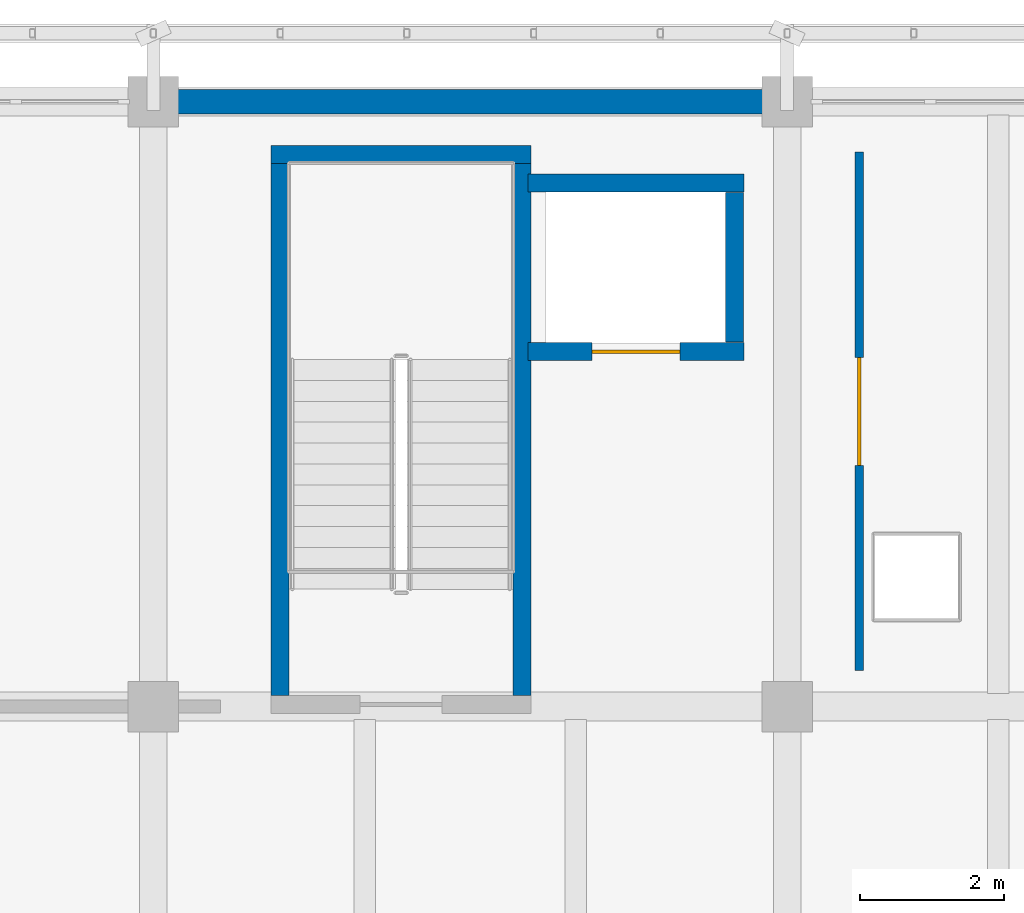
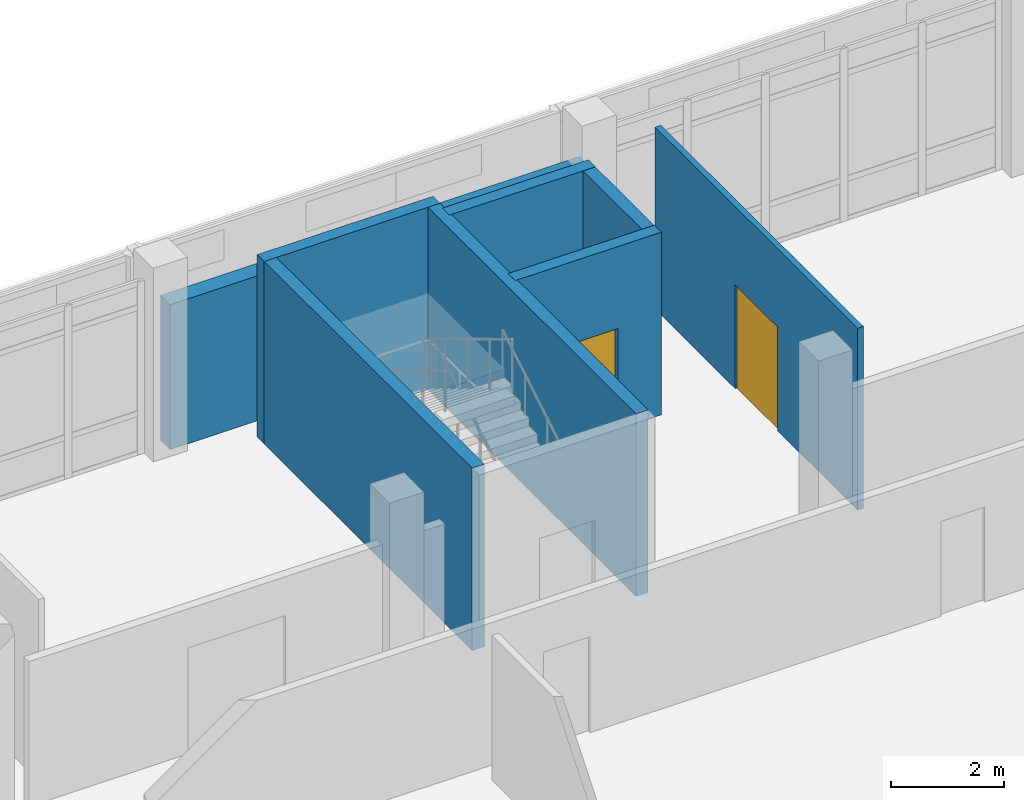
# One storey, part 111 of 137: 8 walls, 2 doors, 2 openings.
"""IFC4 building model written with IfcOpenShell, lengths in metres."""

from ifc_helpers import new_model, si_unit, direction, frame, frame_2d, origin, place, context, subcontext, project, spatial, rectangle, extrude, material, layer, layer_set, type_object, element, fill, save


model = new_model("IFC4")

# Units and contexts
model_context = context("Model", 3, precision=1e-05, world=origin(), true_north=direction((0.0, 1.0)))
body_context = subcontext(model_context, "Body", "Model", "MODEL_VIEW")
ifc_project = project(units=[si_unit("LENGTHUNIT", "METRE"), si_unit("AREAUNIT", "SQUARE_METRE"), si_unit("VOLUMEUNIT", "CUBIC_METRE"), si_unit("PLANEANGLEUNIT", "RADIAN"), si_unit("MASSUNIT", "GRAM", prefix="KILO")], contexts=[model_context])

# Site, building, storey
site_placement = place(None, origin())
site = spatial("IfcSite", under=ifc_project, at=site_placement, CompositionType="ELEMENT")
building_placement = place(site_placement, origin())
building = spatial("IfcBuilding", under=site, at=building_placement, Name="Cinderway Yard Community Centre", CompositionType="ELEMENT")
storey_placement = place(building_placement, frame((0.0, 0.0, 4.800048828125)))
storey = spatial("IfcBuildingStorey", under=building, at=storey_placement, Name="L01", CompositionType="ELEMENT", Elevation=4.800048828125)

# Wall
ifc_material_1 = material(Name="Brick Masonry", Category="masonry")
ifc_layer_1 = layer(ifc_material_1, 0.340087890625, Name="Brick Masonry")
ifc_layer_set_1 = layer_set([ifc_layer_1], Name="Brick Masonry")
wall_type_1 = type_object("IfcWallType", Name="ENV-WAL-EXT340", PredefinedType="SOLIDWALL", material=ifc_layer_set_1)
wall_1_placement = place(storey_placement, frame((75.300048828125, 115.199951171875, 0.0), z_axis=(0.0, 0.0, 1.0), x_axis=(1.0, 0.0, 0.0)))
element("IfcWall", 1, at=wall_1_placement, inside=storey, type_object=wall_type_1, Name="V4 Street Brick Facade Wall ENV-WAL-L01-0148", PredefinedType="SOLIDWALL", context=body_context, shape_type="SweptSolid", body=[
    extrude(rectangle(XDim=8.599853515625, YDim=0.340087890625, at=frame_2d((4.2998046875, 0.0))), origin(), (0.0, 0.0, 1.0), 3.14501953125),
])

# Wall, opening, door
ifc_material_2 = material(Name="Gypsum Board Partition", Category="gypsum")
ifc_layer_2 = layer(ifc_material_2, 0.1201171875, Name="Gypsum Board Partition")
ifc_layer_set_2 = layer_set([ifc_layer_2], Name="Gypsum Board Partition")
wall_type_2 = type_object("IfcWallType", Name="INT-WAL-PRT120", PredefinedType="PARTITIONING", material=ifc_layer_set_2)
wall_2_placement = place(storey_placement, frame((85.0, 107.300048828125, 0.0), z_axis=(0.0, 0.0, 1.0), x_axis=(0.0, 1.0, 0.0)))
wall_2 = element("IfcWall", 2, at=wall_2_placement, inside=storey, type_object=wall_type_2, Name="V4 L01 North Room Partition INT-PRT-L01-0303", PredefinedType="PARTITIONING", context=body_context, shape_type="SweptSolid", body=[
    extrude(rectangle(XDim=7.199951171875, YDim=0.1201171875, at=frame_2d((3.60009765625, 0.0))), origin(), (0.0, 0.0, 1.0), 3.945068359375),
])
opening_1_placement = place(wall_2_placement, frame((2.85009765625, 0.0, 0.0)))
opening_1 = element("IfcOpeningElement", 3, at=opening_1_placement, cuts=wall_2, Name="Opening D-13", PredefinedType="OPENING", context=body_context, shape_type="SweptSolid", body=[
    extrude(rectangle(XDim=1.5, YDim=2.25, at=frame_2d((0.75, 1.125))), frame((0.0, 0.070068359375, 0.0), z_axis=(0.0, -1.0, 0.0), x_axis=(1.0, 0.0, 0.0)), (0.0, 0.0, 1.0), 0.14013671875),
])
ifc_material_3 = material(Name="Painted Galvanised Steel", Category="steel")
door_type_1 = type_object("IfcDoorType", Name="INT-DOR-PLT150", OperationType="DOUBLE_DOOR_SINGLE_SWING", PredefinedType="DOOR", material=ifc_material_3)
door_1_placement = place(opening_1_placement, origin())
door_1 = element("IfcDoor", 4, at=door_1_placement, inside=storey, type_object=door_type_1, Name="Room door INT-DOR-L01-0193", OperationType="DOUBLE_DOOR_SINGLE_SWING", OverallHeight=2.25, OverallWidth=1.5, PredefinedType="DOOR", context=body_context, shape_type="SweptSolid", body=[
    extrude(rectangle(XDim=1.5, YDim=2.25, at=frame_2d((0.75, 1.125))), frame((0.0, 0.02490234375, 0.0), z_axis=(0.0, -1.0, 0.0), x_axis=(1.0, 0.0, 0.0)), (0.0, 0.0, 1.0), 0.050048828125),
])
fill(opening_1, door_1)

# Walls
ifc_material_4 = material(Name="Concrete C40/50", Category="concrete")
ifc_layer_3 = layer(ifc_material_4, 0.25, Name="Concrete C40/50")
ifc_layer_set_3 = layer_set([ifc_layer_3], Name="Concrete C40/50")
wall_type_3 = type_object("IfcWallType", Name="INT-WAL-SHR250", PredefinedType="SHEAR", material=ifc_layer_set_3)
wall_3_placement = place(storey_placement, frame((76.8349609375, 114.469970703125, 0.0), z_axis=(0.0, 0.0, 1.0), x_axis=(1.0, 0.0, 0.0)))
element("IfcWall", 5, at=wall_3_placement, inside=storey, type_object=wall_type_3, Name="Stair ST-02 Back Wall INT-WAL-L01-0048", PredefinedType="SHEAR", context=body_context, shape_type="SweptSolid", body=[
    extrude(rectangle(XDim=3.610107421875, YDim=0.25, at=frame_2d((1.80517578125, 0.0))), origin(), (0.0, 0.0, 1.0), 3.9599609375),
])
for number, where, z_axis, x_axis, name in (
    (6, (76.9599609375, 106.955078125, 0.0), (0.0, 0.0, 1.0), (0.0, 1.0, 0.0), "Stair ST-02 Side Wall L INT-WAL-L01-0049"),
    (7, (80.320068359375, 114.344970703125, 0.0), (0.0, 0.0, 1.0), (0.0, -1.0, 0.0), "Stair ST-02 Side Wall R INT-WAL-L01-0050"),
):
    element("IfcWall", number, at=place(storey_placement, frame(where, z_axis=z_axis, x_axis=x_axis)), inside=storey, type_object=wall_type_3, Name=name, PredefinedType="SHEAR", context=body_context, shape_type="SweptSolid", body=[
        extrude(rectangle(XDim=7.389892578125, YDim=0.25, at=frame_2d((3.69482421875, 0.0))), origin(), (0.0, 0.0, 1.0), 3.9599609375),
    ])

# Wall, opening, door
wall_4_placement = place(storey_placement, frame((80.39990234375, 111.72998046875, 0.0), z_axis=(0.0, 0.0, 1.0), x_axis=(1.0, 0.0, 0.0)))
wall_4 = element("IfcWall", 8, at=wall_4_placement, inside=storey, type_object=wall_type_3, Name="Lift LF-02 South Wall INT-WAL-L01-0070", PredefinedType="SHEAR", context=body_context, shape_type="SweptSolid", body=[
    extrude(rectangle(XDim=3.0, YDim=0.25, at=frame_2d((1.5, 0.0))), origin(), (0.0, 0.0, 1.0), 3.9599609375),
])
opening_2_placement = place(wall_4_placement, frame((0.889892578125, 0.0, 0.0)))
opening_2 = element("IfcOpeningElement", 9, at=opening_2_placement, cuts=wall_4, Name="Opening LD-02", PredefinedType="OPENING", context=body_context, shape_type="SweptSolid", body=[
    extrude(rectangle(XDim=1.219970703125, YDim=2.179931640625, at=frame_2d((0.60986328125, 1.08984375))), frame((0.0, 0.135009765625, 0.0), z_axis=(0.0, -1.0, 0.0), x_axis=(1.0, 0.0, 0.0)), (0.0, 0.0, 1.0), 0.27001953125),
])
door_type_2 = type_object("IfcDoorType", Name="INT-DOR-LD02", OperationType="SLIDING_TO_RIGHT", PredefinedType="DOOR", material=ifc_material_3)
door_2_placement = place(opening_2_placement, origin())
door_2 = element("IfcDoor", 10, at=door_2_placement, inside=storey, type_object=door_type_2, Name="Lift landing door INT-DOR-L01-0020", OperationType="SLIDING_TO_RIGHT", OverallHeight=2.179931640625, OverallWidth=1.219970703125, PredefinedType="DOOR", context=body_context, shape_type="SweptSolid", body=[
    extrude(rectangle(XDim=1.219970703125, YDim=2.179931640625, at=frame_2d((0.60986328125, 1.08984375))), frame((0.0, 0.02490234375, 0.0), z_axis=(0.0, -1.0, 0.0), x_axis=(1.0, 0.0, 0.0)), (0.0, 0.0, 1.0), 0.050048828125),
])
fill(opening_2, door_2)

# Walls
wall_5_placement = place(storey_placement, frame((83.39990234375, 114.070068359375, 0.0), z_axis=(0.0, 0.0, 1.0), x_axis=(-1.0, 0.0, 0.0)))
element("IfcWall", 11, at=wall_5_placement, inside=storey, type_object=wall_type_3, Name="Lift LF-02 North Wall INT-WAL-L01-0071", PredefinedType="SHEAR", context=body_context, shape_type="SweptSolid", body=[
    extrude(rectangle(XDim=3.0, YDim=0.25, at=frame_2d((1.5, 0.0))), origin(), (0.0, 0.0, 1.0), 3.9599609375),
])
wall_6_placement = place(storey_placement, frame((83.27001953125, 111.860107421875, 0.0), z_axis=(0.0, 0.0, 1.0), x_axis=(0.0, 1.0, 0.0)))
element("IfcWall", 12, at=wall_6_placement, inside=storey, type_object=wall_type_3, Name="Lift LF-02 East Wall INT-WAL-L01-0072", PredefinedType="SHEAR", context=body_context, shape_type="SweptSolid", body=[
    extrude(rectangle(XDim=2.079833984375, YDim=0.25, at=frame_2d((1.0400390625, 0.0))), origin(), (0.0, 0.0, 1.0), 3.9599609375),
])

save(model, "model.ifc")
